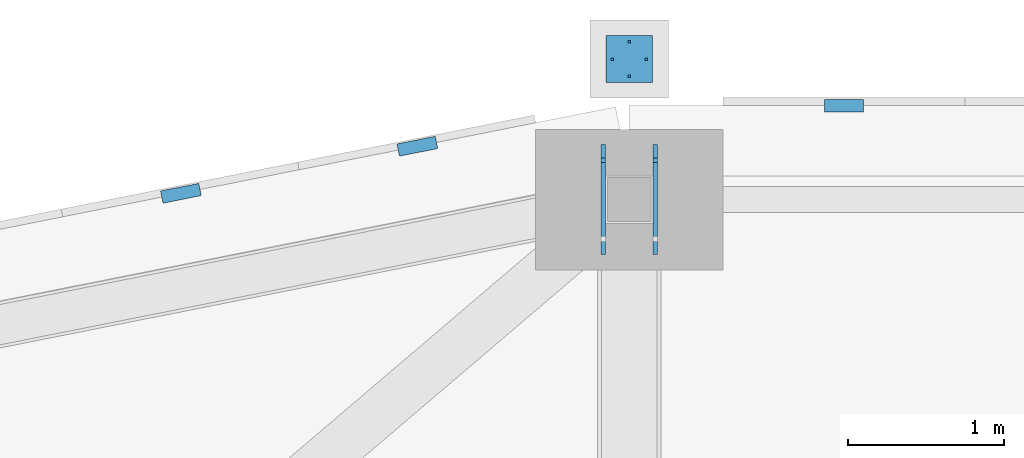
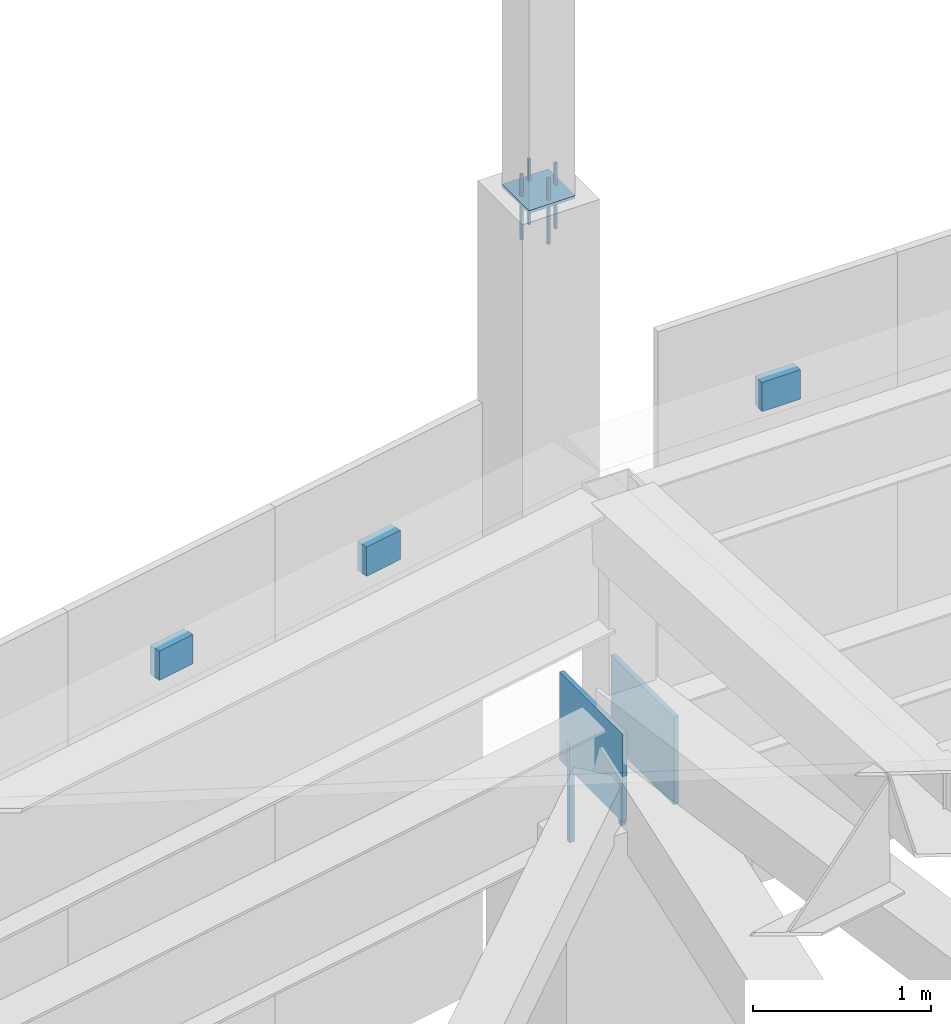
# One storey, part 230 of 278: 6 discrete accessories, 6 mechanical fasteners.
"""IFC4 building model written with IfcOpenShell, lengths in metres."""

import ifcopenshell
import ifcopenshell.guid

model = None  # the IFC model being written
_history = None  # IfcOwnerHistory: only IFC2X3 demands one
_inside = {}  # id of a spatial element -> (the spatial element, [elements in it])
_under = {}  # id of a project, library or spatial element -> (it, [spatial elements below it])
_declared = {}  # id of a project -> (the project, [libraries it declares])
_typed = {}  # id of a type object -> (the type object, [elements of that type])
_made_of = {}  # id of a material, layer set ... -> (it, [elements and type objects made of it])


def new_model(schema):
    """Start an empty IFC model of exactly this schema.

    Asked for "IFC4X3", IfcOpenShell would pick the latest addendum, in which some entities
    have other attributes; the version numbers below select the first issue.
    IFC2X3 requires an IfcOwnerHistory on every rooted entity: one is made here for all.
    """
    global model, _history
    if schema == "IFC4X3":
        model = ifcopenshell.file(schema_version=(4, 3, 0, 0))
    else:
        model = ifcopenshell.file(schema=schema)
    _inside.clear()
    _under.clear()
    _declared.clear()
    _typed.clear()
    _made_of.clear()
    _history = None
    if model.schema == "IFC2X3":
        org = make("IfcOrganization", Name="unknown")
        user = make(
            "IfcPersonAndOrganization",
            ThePerson=make("IfcPerson", FamilyName="unknown"),
            TheOrganization=org,
        )
        app = make(
            "IfcApplication",
            ApplicationDeveloper=org,
            Version="unknown",
            ApplicationFullName="unknown",
            ApplicationIdentifier="unknown",
        )
        _history = make(
            "IfcOwnerHistory",
            OwningUser=user,
            OwningApplication=app,
            ChangeAction="ADDED",
            CreationDate=0,
        )
    return model


def make(cls, **values):
    """One entity of the class cls with the attributes given. An attribute that is None is left unset."""
    return model.create_entity(
        cls, **{name: value for name, value in values.items() if value is not None}
    )


def rooted(cls, **values):
    """An entity with a GlobalId (a new one), such as an element, a storey or a relation."""
    return make(cls, GlobalId=ifcopenshell.guid.new(), OwnerHistory=_history, **values)


def si_unit(unit_type, name, prefix=None):
    """IfcSIUnit, for example si_unit("LENGTHUNIT", "METRE", prefix="MILLI")."""
    return make("IfcSIUnit", UnitType=unit_type, Prefix=prefix, Name=name)


def assignment(units):
    """IfcUnitAssignment: the units of a project."""
    return None if units is None else make("IfcUnitAssignment", Units=units)


def point(xyz):
    """IfcCartesianPoint."""
    return None if xyz is None else make("IfcCartesianPoint", Coordinates=xyz)


def direction(xyz):
    """IfcDirection."""
    return None if xyz is None else make("IfcDirection", DirectionRatios=xyz)


def frame(location, z_axis=None, x_axis=None):
    """IfcAxis2Placement3D, a coordinate frame: its origin and axes. An axis left out is left unset."""
    return make(
        "IfcAxis2Placement3D",
        Location=point(location),
        Axis=direction(z_axis),
        RefDirection=direction(x_axis),
    )


def frame_2d(location, x_axis=None):
    """IfcAxis2Placement2D, a coordinate frame in the plane: its origin and x axis."""
    return make(
        "IfcAxis2Placement2D", Location=point(location), RefDirection=direction(x_axis)
    )


def origin():
    """The frame at (0, 0, 0) with its axes left unset."""
    return frame((0.0, 0.0, 0.0))


def origin_2d():
    """The frame at (0, 0) in the plane with its x axis left unset."""
    return frame_2d((0.0, 0.0))


def place(relative_to, where):
    """IfcLocalPlacement: puts the frame where relative to a parent placement (None: the world)."""
    return make(
        "IfcLocalPlacement", PlacementRelTo=relative_to, RelativePlacement=where
    )


def context(
    kind, dimensions, precision=None, world=None, true_north=None, identifier=None
):
    """IfcGeometricRepresentationContext, for example the 3D "Model" context."""
    return make(
        "IfcGeometricRepresentationContext",
        ContextIdentifier=identifier,
        ContextType=kind,
        CoordinateSpaceDimension=dimensions,
        Precision=precision,
        WorldCoordinateSystem=world,
        TrueNorth=true_north,
    )


def subcontext(parent, identifier, kind, view, scale=None):
    """IfcGeometricRepresentationSubContext, for example "Body" below "Model"."""
    return make(
        "IfcGeometricRepresentationSubContext",
        ContextIdentifier=identifier,
        ContextType=kind,
        ParentContext=parent,
        TargetScale=scale,
        TargetView=view,
    )


def project(units=None, contexts=None):
    """IfcProject with its units and contexts."""
    return rooted(
        "IfcProject",
        Name="project",
        RepresentationContexts=contexts,
        UnitsInContext=assignment(units),
    )


def spatial(cls, under=None, at=None, **own):
    """A site, building, storey or space (cls), placed at a placement, below another one or the project."""
    s = rooted(cls, ObjectPlacement=at, **own)
    if under is not None:
        _under.setdefault(under.id(), (under, []))[1].append(s)
    return s


def profile(cls, at=None, kind="AREA", **sizes):
    """A parametric profile (cls). Its sizes go by their IFC names, for example OverallWidth=200.0."""
    return make(cls, ProfileType=kind, Position=at, **sizes)


def rectangle(**sizes):
    """IfcRectangleProfileDef."""
    return profile("IfcRectangleProfileDef", **sizes)


def extrude(swept, where, along, depth):
    """IfcExtrudedAreaSolid: the profile swept, set in the frame where, extruded along a direction by depth."""
    return make(
        "IfcExtrudedAreaSolid",
        SweptArea=swept,
        Position=where,
        ExtrudedDirection=direction(along),
        Depth=depth,
    )


def shape(context_of_items, identifier, shape_type, items):
    """IfcShapeRepresentation: the items that make up one representation, for example the "Body"."""
    return make(
        "IfcShapeRepresentation",
        ContextOfItems=context_of_items,
        RepresentationIdentifier=identifier,
        RepresentationType=shape_type,
        Items=items,
    )


def material(Name=None, Category=None):
    """IfcMaterial."""
    return make("IfcMaterial", Name=Name, Category=Category)


def layer(
    of_material, thickness, ventilated=None, Name=None, Category=None, Priority=None
):
    """IfcMaterialLayer: one layer of a wall or slab, of a material (None: an air gap)."""
    return make(
        "IfcMaterialLayer",
        Material=of_material,
        LayerThickness=thickness,
        IsVentilated=ventilated,
        Name=Name,
        Category=Category,
        Priority=Priority,
    )


def layer_set(layers, Name=None):
    """IfcMaterialLayerSet."""
    return make("IfcMaterialLayerSet", MaterialLayers=layers, LayerSetName=Name)


def made_of(thing, what):
    """Note that an element or type object is made of a material, layer set ...; save() writes the relation."""
    if what is not None:
        _made_of.setdefault(what.id(), (what, []))[1].append(thing)
    return thing


def type_object(cls, material=None, **own):
    """A type object (cls), such as IfcWallType, which elements share."""
    return made_of(rooted(cls, **own), material)


def element(
    cls,
    number,
    at=None,
    inside=None,
    cuts=None,
    type_object=None,
    material=None,
    context=None,
    identifier="Body",
    shape_type=None,
    held_by="IfcProductDefinitionShape",
    body=None,
    shapes=None,
    **own,
):
    """One element of the class cls, such as IfcWall. Its Tag is "e" and its number.

    at: its placement. inside: the storey or other place that contains it. cuts: it is an
    opening in that element (IfcRelVoidsElement). A single representation is given by context,
    identifier, shape_type and body (its items); several are given by shapes. held_by: the class
    of the entity that holds the representations. save() writes the other relations.
    """
    e = rooted(cls, Tag="e%d" % number, ObjectPlacement=at, **own)
    if body is not None:
        shapes = [shape(context, identifier, shape_type, body)]
    if shapes is not None:
        e.Representation = make(held_by, Representations=shapes)
    if inside is not None:
        _inside.setdefault(inside.id(), (inside, []))[1].append(e)
    if cuts is not None:
        rooted(
            "IfcRelVoidsElement", RelatingBuildingElement=cuts, RelatedOpeningElement=e
        )
    if type_object is not None:
        _typed.setdefault(type_object.id(), (type_object, []))[1].append(e)
    return made_of(e, material)


def aggregate(whole, parts):
    """IfcRelAggregates: a whole, such as a stair, and the parts it consists of."""
    return rooted("IfcRelAggregates", RelatingObject=whole, RelatedObjects=parts)


def save(model, path):
    """Write the relations noted so far, then the file.

    IfcRelAggregates (storeys below a building ...), IfcRelContainedInSpatialStructure (elements
    in a storey), IfcRelDefinesByType, IfcRelAssociatesMaterial and IfcRelDeclares: one each for
    every whole, place, type object, material and project.
    """
    for whole, parts in _under.values():
        aggregate(whole, parts)
    for where, things in _inside.values():
        rooted(
            "IfcRelContainedInSpatialStructure",
            RelatedElements=things,
            RelatingStructure=where,
        )
    for kind, things in _typed.values():
        rooted("IfcRelDefinesByType", RelatedObjects=things, RelatingType=kind)
    for what, things in _made_of.values():
        rooted("IfcRelAssociatesMaterial", RelatedObjects=things, RelatingMaterial=what)
    for by, libraries in _declared.values():
        rooted("IfcRelDeclares", RelatingContext=by, RelatedDefinitions=libraries)
    model.write(path)


model = new_model("IFC4")

# Units and contexts
model_context = context("Model", 3, precision=1e-05, world=origin(), true_north=direction((0.0, 1.0)))
body_context = subcontext(model_context, "Body", "Model", "MODEL_VIEW")
ifc_project = project(units=[si_unit("LENGTHUNIT", "METRE"), si_unit("AREAUNIT", "SQUARE_METRE"), si_unit("VOLUMEUNIT", "CUBIC_METRE"), si_unit("PLANEANGLEUNIT", "RADIAN"), si_unit("MASSUNIT", "GRAM", prefix="KILO")], contexts=[model_context])

# Site, building, storey
site_placement = place(None, origin())
site = spatial("IfcSite", under=ifc_project, at=site_placement, CompositionType="ELEMENT")
building_placement = place(site_placement, origin())
building = spatial("IfcBuilding", under=site, at=building_placement, Name="Ogive Plaza Stadium", CompositionType="ELEMENT")
storey_placement = place(building_placement, frame((0.0, 0.0, 29.0)))
storey = spatial("IfcBuildingStorey", under=building, at=storey_placement, Name="Roof", CompositionType="ELEMENT", Elevation=29.0)

# Mechanical fasteners
ifc_material_1 = material(Name="Steel ASTM A992 Grade 50", Category="steel")
mechanical_fastener_type_1 = type_object("IfcMechanicalFastenerType", Name="Anchor bolt M30 x 600", PredefinedType="ANCHORBOLT", material=ifc_material_1)
for number, where, z_axis, x_axis, name in (
    (1, (-34.16650390625, 102.75244140625, 3.0), (0.0, 0.0, 1.0), (0.0, 1.0, 0.0), "ANCHOR BOLT 32 BF 1.1"),
    (2, (-33.83349609375, 102.75244140625, 3.0), (0.0, 0.0, 1.0), (0.0, 1.0, 0.0), "ANCHOR BOLT 32 BF 2.1"),
):
    element("IfcMechanicalFastener", number, at=place(storey_placement, frame(where, z_axis=z_axis, x_axis=x_axis)), inside=storey, type_object=mechanical_fastener_type_1, Name=name, PredefinedType="ANCHORBOLT", context=body_context, shape_type="SweptSolid", body=[
        extrude(rectangle(XDim=0.030029296875, YDim=0.030029296875, at=origin_2d()), origin(), (0.0, 0.0, 1.0), 0.679931640625),
    ])
ifc_material_2 = material(Name="Steel ASTM A992 Grade 50", Category="steel")
mechanical_fastener_type_2 = type_object("IfcMechanicalFastenerType", Name="Spire anchor bolt M16 x 450", PredefinedType="ANCHORBOLT", material=ifc_material_2)
for number, where, z_axis, x_axis, name in (
    (3, (-34.0, 103.510009765625, 6.7001953125), (0.0, 0.0, 1.0), (0.0, 1.0, 0.0), "SPIRE ANCHOR BOLT 32 1"),
    (4, (-34.0, 103.2900390625, 6.7001953125), (0.0, 0.0, 1.0), (0.0, 1.0, 0.0), "SPIRE ANCHOR BOLT 32 2"),
    (5, (-34.110107421875, 103.39990234375, 6.7001953125), (0.0, 0.0, 1.0), (0.0, 1.0, 0.0), "SPIRE ANCHOR BOLT 32 3"),
    (6, (-33.889892578125, 103.39990234375, 6.7001953125), (0.0, 0.0, 1.0), (0.0, 1.0, 0.0), "SPIRE ANCHOR BOLT 32 4"),
):
    element("IfcMechanicalFastener", number, at=place(storey_placement, frame(where, z_axis=z_axis, x_axis=x_axis)), inside=storey, type_object=mechanical_fastener_type_2, Name=name, PredefinedType="ANCHORBOLT", context=body_context, shape_type="SweptSolid", body=[
        extrude(rectangle(XDim=0.01611328125, YDim=0.01611328125, at=origin_2d()), origin(), (0.0, 0.0, 1.0), 0.449951171875),
    ])

# Discrete accessories
ifc_material_3 = material(Name="Steel ASTM A992 Grade 50", Category="steel")
ifc_layer_1 = layer(ifc_material_3, 0.02001953125)
ifc_layer_set_1 = layer_set([ifc_layer_1], Name="Steel ASTM A992 Grade 50")
discrete_accessory_type_1 = type_object("IfcDiscreteAccessoryType", Name="Spire seat plate 20", PredefinedType="ANCHORPLATE", material=ifc_layer_set_1)
discrete_accessory_placement = place(storey_placement, frame((-34.0, 103.39990234375, 6.98095703125), z_axis=(0.0, 0.0, 1.0), x_axis=(0.0, 1.0, 0.0)))
element("IfcDiscreteAccessory", 7, at=discrete_accessory_placement, inside=storey, type_object=discrete_accessory_type_1, Name="SPIRE SEAT PLATE 32", PredefinedType="ANCHORPLATE", context=body_context, shape_type="SweptSolid", body=[
    extrude(rectangle(XDim=0.300048828125, YDim=0.300048828125, at=origin_2d()), origin(), (0.0, 0.0, 1.0), 0.02001953125),
])
ifc_material_4 = material(Name="Steel ASTM A572 Grade 50", Category="steel")
ifc_layer_2 = layer(ifc_material_4, 0.080078125)
ifc_layer_set_2 = layer_set([ifc_layer_2], Name="Steel ASTM A572 Grade 50")
discrete_accessory_type_2 = type_object("IfcDiscreteAccessoryType", Name="Tracery screen bracket 250x200", PredefinedType="BRACKET", material=ifc_layer_set_2)
for number, where, z_axis, x_axis, name in (
    (8, (-36.87109375, 102.5400390625, 5.25), (0.0, 0.0, 1.0), (0.980785280403, 0.195090322016, 0.0), "TRACERY SCREEN BRACKET B31 11"),
    (9, (-35.35693359375, 102.84130859375, 5.25), (0.0, 0.0, 1.0), (0.980785280403, 0.195090322016, 0.0), "TRACERY SCREEN BRACKET B31 12"),
    (10, (-32.625, 103.102294921875, 5.25), (0.0, 0.0, 1.0), (1.0, 0.0, 0.0), "TRACERY SCREEN BRACKET B32 1"),
):
    element("IfcDiscreteAccessory", number, at=place(storey_placement, frame(where, z_axis=z_axis, x_axis=x_axis)), inside=storey, type_object=discrete_accessory_type_2, Name=name, PredefinedType="BRACKET", context=body_context, shape_type="SweptSolid", body=[
        extrude(rectangle(XDim=0.25, YDim=0.080078125, at=origin_2d()), origin(), (0.0, 0.0, 1.0), 0.199951171875),
    ])
ifc_material_5 = material(Name="Steel ASTM A992 Grade 50", Category="steel")
ifc_layer_3 = layer(ifc_material_5, 0.030029296875)
ifc_layer_set_3 = layer_set([ifc_layer_3], Name="Steel ASTM A992 Grade 50")
discrete_accessory_type_3 = type_object("IfcDiscreteAccessoryType", Name="Truss back-stay foot cleat plate 30", PredefinedType="ANCHORPLATE", material=ifc_layer_set_3)
for number, where, z_axis, x_axis, name in (
    (11, (-34.16650390625, 102.5, 3.5), (0.0, 0.0, 1.0), (0.0, 1.0, 0.0), "TRUSS BACK-STAY FOOT CLEAT PLATE 32 1"),
    (12, (-33.83349609375, 102.5, 3.5), (0.0, 0.0, 1.0), (0.0, 1.0, 0.0), "TRUSS BACK-STAY FOOT CLEAT PLATE 32 2"),
):
    element("IfcDiscreteAccessory", number, at=place(storey_placement, frame(where, z_axis=z_axis, x_axis=x_axis)), inside=storey, type_object=discrete_accessory_type_3, Name=name, PredefinedType="ANCHORPLATE", context=body_context, shape_type="SweptSolid", body=[
        extrude(rectangle(XDim=0.704833984375, YDim=0.030029296875, at=origin_2d()), origin(), (0.0, 0.0, 1.0), 0.60009765625),
    ])

save(model, "model.ifc")
